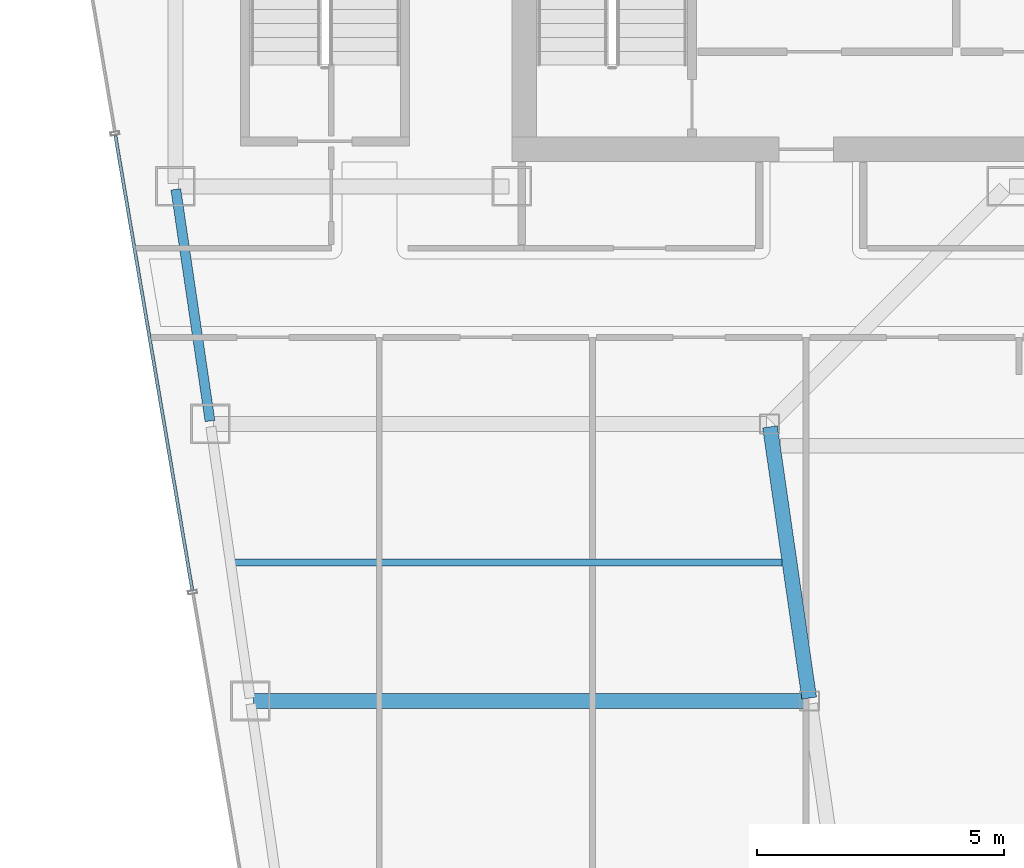
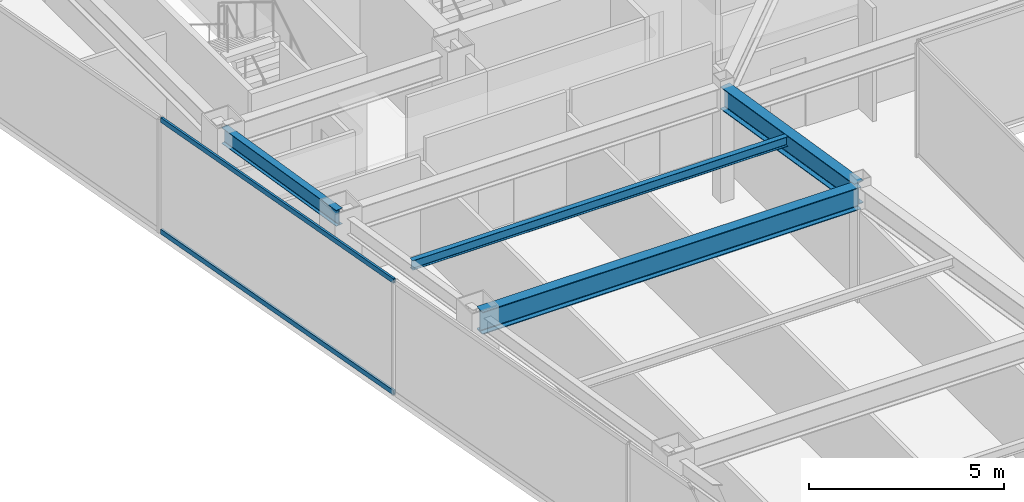
# One storey, part 10 of 36: 4 beams, 2 members, 1 element without a shape of its own.
"""IFC4 building model written with IfcOpenShell, lengths in metres."""

import ifcopenshell
import ifcopenshell.guid

model = None  # the IFC model being written
_history = None  # IfcOwnerHistory: only IFC2X3 demands one
_inside = {}  # id of a spatial element -> (the spatial element, [elements in it])
_under = {}  # id of a project, library or spatial element -> (it, [spatial elements below it])
_declared = {}  # id of a project -> (the project, [libraries it declares])
_typed = {}  # id of a type object -> (the type object, [elements of that type])
_made_of = {}  # id of a material, layer set ... -> (it, [elements and type objects made of it])


def new_model(schema):
    """Start an empty IFC model of exactly this schema.

    Asked for "IFC4X3", IfcOpenShell would pick the latest addendum, in which some entities
    have other attributes; the version numbers below select the first issue.
    IFC2X3 requires an IfcOwnerHistory on every rooted entity: one is made here for all.
    """
    global model, _history
    if schema == "IFC4X3":
        model = ifcopenshell.file(schema_version=(4, 3, 0, 0))
    else:
        model = ifcopenshell.file(schema=schema)
    _inside.clear()
    _under.clear()
    _declared.clear()
    _typed.clear()
    _made_of.clear()
    _history = None
    if model.schema == "IFC2X3":
        org = make("IfcOrganization", Name="unknown")
        user = make(
            "IfcPersonAndOrganization",
            ThePerson=make("IfcPerson", FamilyName="unknown"),
            TheOrganization=org,
        )
        app = make(
            "IfcApplication",
            ApplicationDeveloper=org,
            Version="unknown",
            ApplicationFullName="unknown",
            ApplicationIdentifier="unknown",
        )
        _history = make(
            "IfcOwnerHistory",
            OwningUser=user,
            OwningApplication=app,
            ChangeAction="ADDED",
            CreationDate=0,
        )
    return model


def make(cls, **values):
    """One entity of the class cls with the attributes given. An attribute that is None is left unset."""
    return model.create_entity(
        cls, **{name: value for name, value in values.items() if value is not None}
    )


def rooted(cls, **values):
    """An entity with a GlobalId (a new one), such as an element, a storey or a relation."""
    return make(cls, GlobalId=ifcopenshell.guid.new(), OwnerHistory=_history, **values)


def si_unit(unit_type, name, prefix=None):
    """IfcSIUnit, for example si_unit("LENGTHUNIT", "METRE", prefix="MILLI")."""
    return make("IfcSIUnit", UnitType=unit_type, Prefix=prefix, Name=name)


def assignment(units):
    """IfcUnitAssignment: the units of a project."""
    return None if units is None else make("IfcUnitAssignment", Units=units)


def point(xyz):
    """IfcCartesianPoint."""
    return None if xyz is None else make("IfcCartesianPoint", Coordinates=xyz)


def direction(xyz):
    """IfcDirection."""
    return None if xyz is None else make("IfcDirection", DirectionRatios=xyz)


def frame(location, z_axis=None, x_axis=None):
    """IfcAxis2Placement3D, a coordinate frame: its origin and axes. An axis left out is left unset."""
    return make(
        "IfcAxis2Placement3D",
        Location=point(location),
        Axis=direction(z_axis),
        RefDirection=direction(x_axis),
    )


def frame_2d(location, x_axis=None):
    """IfcAxis2Placement2D, a coordinate frame in the plane: its origin and x axis."""
    return make(
        "IfcAxis2Placement2D", Location=point(location), RefDirection=direction(x_axis)
    )


def origin():
    """The frame at (0, 0, 0) with its axes left unset."""
    return frame((0.0, 0.0, 0.0))


def origin_2d():
    """The frame at (0, 0) in the plane with its x axis left unset."""
    return frame_2d((0.0, 0.0))


def place(relative_to, where):
    """IfcLocalPlacement: puts the frame where relative to a parent placement (None: the world)."""
    return make(
        "IfcLocalPlacement", PlacementRelTo=relative_to, RelativePlacement=where
    )


def context(
    kind, dimensions, precision=None, world=None, true_north=None, identifier=None
):
    """IfcGeometricRepresentationContext, for example the 3D "Model" context."""
    return make(
        "IfcGeometricRepresentationContext",
        ContextIdentifier=identifier,
        ContextType=kind,
        CoordinateSpaceDimension=dimensions,
        Precision=precision,
        WorldCoordinateSystem=world,
        TrueNorth=true_north,
    )


def subcontext(parent, identifier, kind, view, scale=None):
    """IfcGeometricRepresentationSubContext, for example "Body" below "Model"."""
    return make(
        "IfcGeometricRepresentationSubContext",
        ContextIdentifier=identifier,
        ContextType=kind,
        ParentContext=parent,
        TargetScale=scale,
        TargetView=view,
    )


def project(units=None, contexts=None):
    """IfcProject with its units and contexts."""
    return rooted(
        "IfcProject",
        Name="project",
        RepresentationContexts=contexts,
        UnitsInContext=assignment(units),
    )


def spatial(cls, under=None, at=None, **own):
    """A site, building, storey or space (cls), placed at a placement, below another one or the project."""
    s = rooted(cls, ObjectPlacement=at, **own)
    if under is not None:
        _under.setdefault(under.id(), (under, []))[1].append(s)
    return s


def profile(cls, at=None, kind="AREA", **sizes):
    """A parametric profile (cls). Its sizes go by their IFC names, for example OverallWidth=200.0."""
    return make(cls, ProfileType=kind, Position=at, **sizes)


def hollow_rectangle(**sizes):
    """IfcRectangleHollowProfileDef."""
    return profile("IfcRectangleHollowProfileDef", **sizes)


def i_section(**sizes):
    """IfcIShapeProfileDef."""
    return profile("IfcIShapeProfileDef", **sizes)


def extrude(swept, where, along, depth):
    """IfcExtrudedAreaSolid: the profile swept, set in the frame where, extruded along a direction by depth."""
    return make(
        "IfcExtrudedAreaSolid",
        SweptArea=swept,
        Position=where,
        ExtrudedDirection=direction(along),
        Depth=depth,
    )


def shape(context_of_items, identifier, shape_type, items):
    """IfcShapeRepresentation: the items that make up one representation, for example the "Body"."""
    return make(
        "IfcShapeRepresentation",
        ContextOfItems=context_of_items,
        RepresentationIdentifier=identifier,
        RepresentationType=shape_type,
        Items=items,
    )


def material(Name=None, Category=None):
    """IfcMaterial."""
    return make("IfcMaterial", Name=Name, Category=Category)


def material_profile(
    of_material, cross_section, Name=None, Category=None, Priority=None
):
    """IfcMaterialProfile: a cross section and its material."""
    return make(
        "IfcMaterialProfile",
        Name=Name,
        Material=of_material,
        Profile=cross_section,
        Priority=Priority,
        Category=Category,
    )


def profile_set(profiles, Name=None, composite=None):
    """IfcMaterialProfileSet."""
    return make(
        "IfcMaterialProfileSet",
        Name=Name,
        MaterialProfiles=profiles,
        CompositeProfile=composite,
    )


def made_of(thing, what):
    """Note that an element or type object is made of a material, layer set ...; save() writes the relation."""
    if what is not None:
        _made_of.setdefault(what.id(), (what, []))[1].append(thing)
    return thing


def type_object(cls, material=None, **own):
    """A type object (cls), such as IfcWallType, which elements share."""
    return made_of(rooted(cls, **own), material)


def element(
    cls,
    number,
    at=None,
    inside=None,
    cuts=None,
    type_object=None,
    material=None,
    context=None,
    identifier="Body",
    shape_type=None,
    held_by="IfcProductDefinitionShape",
    body=None,
    shapes=None,
    **own,
):
    """One element of the class cls, such as IfcWall. Its Tag is "e" and its number.

    at: its placement. inside: the storey or other place that contains it. cuts: it is an
    opening in that element (IfcRelVoidsElement). A single representation is given by context,
    identifier, shape_type and body (its items); several are given by shapes. held_by: the class
    of the entity that holds the representations. save() writes the other relations.
    """
    e = rooted(cls, Tag="e%d" % number, ObjectPlacement=at, **own)
    if body is not None:
        shapes = [shape(context, identifier, shape_type, body)]
    if shapes is not None:
        e.Representation = make(held_by, Representations=shapes)
    if inside is not None:
        _inside.setdefault(inside.id(), (inside, []))[1].append(e)
    if cuts is not None:
        rooted(
            "IfcRelVoidsElement", RelatingBuildingElement=cuts, RelatedOpeningElement=e
        )
    if type_object is not None:
        _typed.setdefault(type_object.id(), (type_object, []))[1].append(e)
    return made_of(e, material)


def aggregate(whole, parts):
    """IfcRelAggregates: a whole, such as a stair, and the parts it consists of."""
    return rooted("IfcRelAggregates", RelatingObject=whole, RelatedObjects=parts)


def save(model, path):
    """Write the relations noted so far, then the file.

    IfcRelAggregates (storeys below a building ...), IfcRelContainedInSpatialStructure (elements
    in a storey), IfcRelDefinesByType, IfcRelAssociatesMaterial and IfcRelDeclares: one each for
    every whole, place, type object, material and project.
    """
    for whole, parts in _under.values():
        aggregate(whole, parts)
    for where, things in _inside.values():
        rooted(
            "IfcRelContainedInSpatialStructure",
            RelatedElements=things,
            RelatingStructure=where,
        )
    for kind, things in _typed.values():
        rooted("IfcRelDefinesByType", RelatedObjects=things, RelatingType=kind)
    for what, things in _made_of.values():
        rooted("IfcRelAssociatesMaterial", RelatedObjects=things, RelatingMaterial=what)
    for by, libraries in _declared.values():
        rooted("IfcRelDeclares", RelatingContext=by, RelatedDefinitions=libraries)
    model.write(path)


model = new_model("IFC4")

# Units and contexts
model_context = context("Model", 3, precision=1e-05, world=origin(), true_north=direction((0.0, 1.0)))
body_context = subcontext(model_context, "Body", "Model", "MODEL_VIEW")
ifc_project = project(units=[si_unit("LENGTHUNIT", "METRE"), si_unit("AREAUNIT", "SQUARE_METRE"), si_unit("VOLUMEUNIT", "CUBIC_METRE"), si_unit("PLANEANGLEUNIT", "RADIAN"), si_unit("MASSUNIT", "GRAM", prefix="KILO")], contexts=[model_context])

# Site, building, storey
site_placement = place(None, origin())
site = spatial("IfcSite", under=ifc_project, at=site_placement, CompositionType="ELEMENT")
building_placement = place(site_placement, origin())
building = spatial("IfcBuilding", under=site, at=building_placement, Name="Saevonmaru Cultural Tower", CompositionType="ELEMENT")
storey_placement = place(building_placement, frame((0.0, 0.0, 198.0)))
storey = spatial("IfcBuildingStorey", under=building, at=storey_placement, Name="L45", CompositionType="ELEMENT", Elevation=198.0)

# Beams
ifc_material_1 = material(Name="Steel SM355", Category="steel")
ifc_material_profile_1 = material_profile(ifc_material_1, i_section(OverallWidth=0.300048828125, OverallDepth=0.699951171875, WebThickness=0.012939453125, FlangeThickness=0.02392578125, FilletRadius=0.02587890625, at=origin_2d()), Name="H-700x300x13x24")
ifc_profile_set_1 = profile_set([ifc_material_profile_1], Name="Steel SM355")
beam_type_1 = type_object("IfcBeamType", Name="BM-G-H700", PredefinedType="BEAM", material=ifc_profile_set_1)
beam_1_placement = place(storey_placement, frame((19.6083984375, 32.059326171875, 3.199951171875), z_axis=(-0.142964121327, 0.989727871697, 0.0), x_axis=(-0.989727871697, -0.142964121327, 0.0)))
element("IfcBeam", 1, at=beam_1_placement, inside=storey, type_object=beam_type_1, Name="L45 West Atrium Girder 3", PredefinedType="BEAM", context=body_context, shape_type="SweptSolid", body=[
    extrude(i_section(OverallWidth=0.300048828125, OverallDepth=0.699951171875, WebThickness=0.012939453125, FlangeThickness=0.02392578125, FilletRadius=0.02587890625, at=origin_2d()), origin(), (0.0, 0.0, 1.0), 5.5380859375),
])
beam_2_placement = place(storey_placement, frame((8.376953125, 32.0, 3.199951171875), z_axis=(1.0, 0.0, 0.0), x_axis=(0.0, 1.0, 0.0)))
element("IfcBeam", 2, at=beam_2_placement, inside=storey, type_object=beam_type_1, Name="L45 West Wing Transverse Girder 3", PredefinedType="BEAM", context=body_context, shape_type="SweptSolid", body=[
    extrude(i_section(OverallWidth=0.300048828125, OverallDepth=0.699951171875, WebThickness=0.012939453125, FlangeThickness=0.02392578125, FilletRadius=0.02587890625, at=origin_2d()), origin(), (0.0, 0.0, 1.0), 11.179931640625),
])
ifc_material_profile_2 = material_profile(ifc_material_1, i_section(OverallWidth=0.14990234375, OverallDepth=0.300048828125, WebThickness=0.006591796875, FlangeThickness=0.009033203125, FilletRadius=0.012939453125, at=origin_2d()), Name="H-300x150x6.5x9")
ifc_profile_set_2 = profile_set([ifc_material_profile_2], Name="Steel SM355")
beam_type_2 = type_object("IfcBeamType", Name="BM-J-H300", PredefinedType="JOIST", material=ifc_profile_set_2)
beam_3_placement = place(storey_placement, frame((7.972412109375, 34.800048828125, 3.39990234375), z_axis=(1.0, 0.0, 0.0), x_axis=(0.0, 1.0, 0.0)))
element("IfcBeam", 3, at=beam_3_placement, inside=storey, type_object=beam_type_2, Name="L45 West Wing Floor Joist 3", PredefinedType="JOIST", context=body_context, shape_type="SweptSolid", body=[
    extrude(i_section(OverallWidth=0.14990234375, OverallDepth=0.300048828125, WebThickness=0.006591796875, FlangeThickness=0.009033203125, FilletRadius=0.012939453125, at=origin_2d()), origin(), (0.0, 0.0, 1.0), 11.08203125),
])
ifc_material_profile_3 = material_profile(ifc_material_1, i_section(OverallWidth=0.199951171875, OverallDepth=0.5, WebThickness=0.010009765625, FlangeThickness=0.01611328125, FilletRadius=0.02001953125, at=origin_2d()), Name="H-500x200x10x16")
ifc_profile_set_3 = profile_set([ifc_material_profile_3], Name="Steel SM355")
beam_type_3 = type_object("IfcBeamType", Name="BM-SP-H500", PredefinedType="SPANDREL", material=ifc_profile_set_3)
beam_4_placement = place(storey_placement, frame((7.499267578125, 37.659423828125, 3.300048828125), z_axis=(-0.145912860028, 0.989297446312, 0.0), x_axis=(-0.989297446312, -0.145912860028, 0.0)))
element("IfcBeam", 4, at=beam_4_placement, inside=storey, type_object=beam_type_3, Name="L45 West Splayed Spandrel 4", PredefinedType="SPANDREL", context=body_context, shape_type="SweptSolid", body=[
    extrude(i_section(OverallWidth=0.199951171875, OverallDepth=0.5, WebThickness=0.010009765625, FlangeThickness=0.01611328125, FilletRadius=0.02001953125, at=origin_2d()), origin(), (0.0, 0.0, 1.0), 4.731689453125),
])

# Curtain wall, members
ifc_material_2 = material(Name="Satin Bronze Anodised Aluminium", Category="aluminium")
curtain_wall_type = type_object("IfcCurtainWallType", Name="CW-TYP-B", PredefinedType="NOTDEFINED", material=ifc_material_2)
curtain_wall_placement = place(storey_placement, origin())
curtain_wall = element("IfcCurtainWall", 5, at=curtain_wall_placement, inside=storey, type_object=curtain_wall_type, Name="L45 Unitised Curtain Wall E12", PredefinedType="NOTDEFINED")
ifc_material_profile_4 = material_profile(ifc_material_2, hollow_rectangle(XDim=0.06494140625, YDim=0.14990234375, WallThickness=0.00390625, at=origin_2d()), Name="ALU-TRAN-150x65x4")
ifc_profile_set_4 = profile_set([ifc_material_profile_4], Name="Satin Bronze Anodised Aluminium")
member_type = type_object("IfcMemberType", Name="TR-CW-150x65", PredefinedType="USERDEFINED", material=ifc_profile_set_4)
member_1_placement = place(storey_placement, frame((5.5849609375, 43.4384765625, 0.032470703125), z_axis=(0.166916960754, -0.985970957084, 0.0), x_axis=(0.985970957084, 0.166916960754, 0.0)))
member_1 = element("IfcMember", 6, at=member_1_placement, type_object=member_type, Name="CW-TW-L45-E12 transom 2.1", ObjectType="TRANSOM", PredefinedType="USERDEFINED", context=body_context, shape_type="SweptSolid", body=[
    extrude(hollow_rectangle(XDim=0.06494140625, YDim=0.14990234375, WallThickness=0.00390625, at=origin_2d()), origin(), (0.0, 0.0, 1.0), 9.337646484375),
])
member_2_placement = place(storey_placement, frame((5.5849609375, 43.4384765625, 3.517578125), z_axis=(0.166916960754, -0.985970957084, 0.0), x_axis=(0.985970957084, 0.166916960754, 0.0)))
member_2 = element("IfcMember", 7, at=member_2_placement, type_object=member_type, Name="CW-TW-L45-E12 transom 2.2", ObjectType="TRANSOM", PredefinedType="USERDEFINED", context=body_context, shape_type="SweptSolid", body=[
    extrude(hollow_rectangle(XDim=0.06494140625, YDim=0.14990234375, WallThickness=0.00390625, at=origin_2d()), origin(), (0.0, 0.0, 1.0), 9.337646484375),
])
aggregate(curtain_wall, [member_1, member_2])

save(model, "model.ifc")
